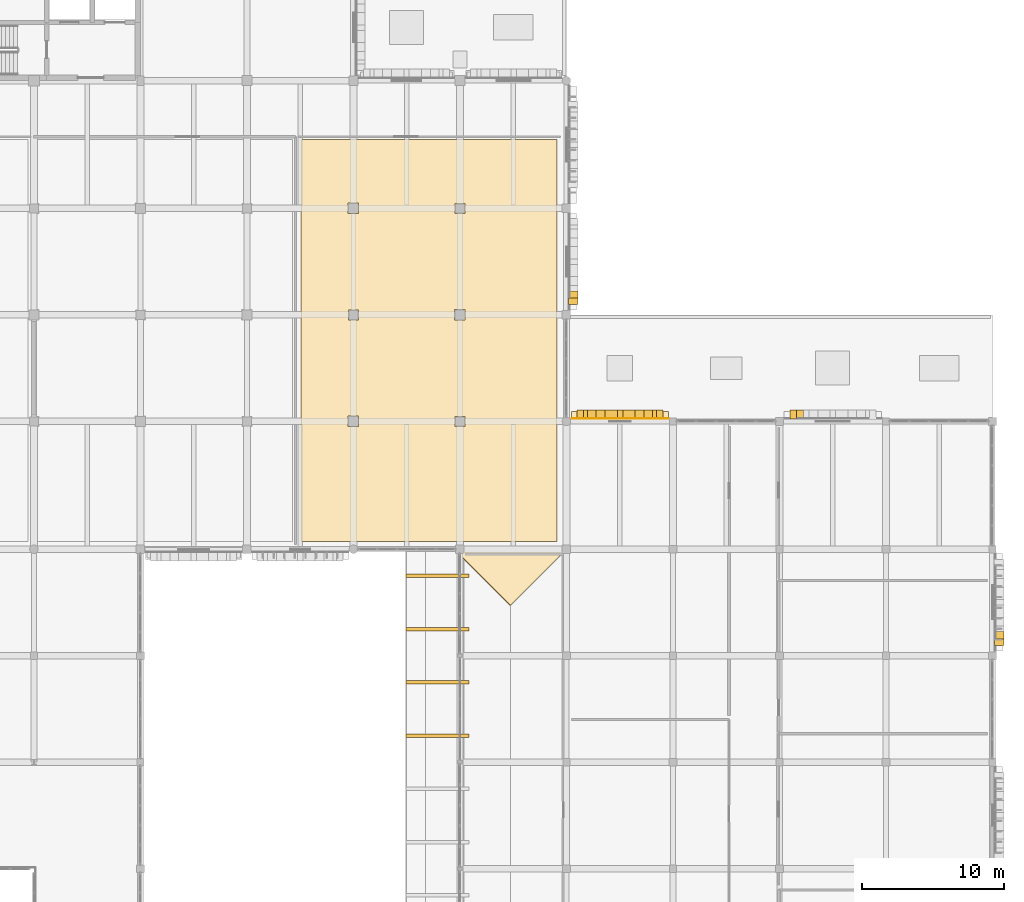
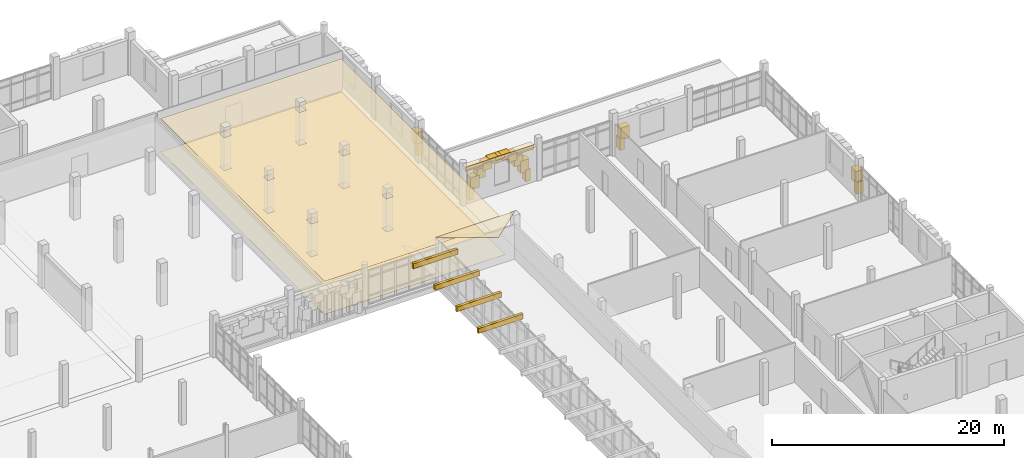
# One storey, part 126 of 128: 26 coverings.
"""IFC4 building model written with IfcOpenShell, lengths in metres."""

from ifc_helpers import new_model, si_unit, direction, frame, origin, origin_2d, place, context, subcontext, project, spatial, polyline, rectangle, outline, extrude, material, layer, layer_set, type_object, element, save


model = new_model("IFC4")

# Units and contexts
model_context = context("Model", 3, precision=1e-05, world=origin(), true_north=direction((0.0, 1.0)))
body_context = subcontext(model_context, "Body", "Model", "MODEL_VIEW")
ifc_project = project(units=[si_unit("LENGTHUNIT", "METRE"), si_unit("AREAUNIT", "SQUARE_METRE"), si_unit("VOLUMEUNIT", "CUBIC_METRE"), si_unit("PLANEANGLEUNIT", "RADIAN"), si_unit("MASSUNIT", "GRAM", prefix="KILO")], contexts=[model_context])

# Site, building, storey
site_placement = place(None, origin())
site = spatial("IfcSite", under=ifc_project, at=site_placement, CompositionType="ELEMENT")
building_placement = place(site_placement, origin())
building = spatial("IfcBuilding", under=site, at=building_placement, Name="Dalvernix Boulevard General Hospital", CompositionType="ELEMENT")
storey_placement = place(building_placement, frame((0.0, 0.0, 4.800048828125)))
storey = spatial("IfcBuildingStorey", under=building, at=storey_placement, Name="L01", CompositionType="ELEMENT", Elevation=4.800048828125)

# Coverings
ifc_material_1 = material(Name="Pressed Catalan clay brick and dressed limestone parabolic archivolt", Category="masonry")
ifc_layer_1 = layer(ifc_material_1, 0.419921875)
ifc_layer_set_1 = layer_set([ifc_layer_1], Name="Pressed Catalan clay brick and dressed limestone parabolic archivolt (COV-ARC-01)")
covering_type_1 = type_object("IfcCoveringType", Name="COV-ARC-01", PredefinedType="CLADDING", material=ifc_layer_set_1)
covering_1_placement = place(storey_placement, frame((142.985107421875, 93.949951171875, 0.0), z_axis=(0.0, 0.0, 1.0), x_axis=(0.0, -1.0, 0.0)))
element("IfcCovering", 1, at=covering_1_placement, inside=storey, type_object=covering_type_1, Name="L01 Catalan parabolic arch impost pier E 19-12-R", PredefinedType="CLADDING", context=body_context, shape_type="SweptSolid", body=[
    extrude(rectangle(XDim=0.4599609375, YDim=0.659912109375, at=origin_2d()), origin(), (0.0, 0.0, 1.0), 1.25),
])
covering_2_placement = place(storey_placement, frame((142.985107421875, 94.260986328125, 1.06005859375), z_axis=(0.0, 0.0, 1.0), x_axis=(0.0, -1.0, 0.0)))
element("IfcCovering", 2, at=covering_2_placement, inside=storey, type_object=covering_type_1, Name="L01 Catalan parabolic archivolt voussoir E 19-12-9", PredefinedType="CLADDING", context=body_context, shape_type="SweptSolid", body=[
    extrude(rectangle(XDim=0.8623046875, YDim=0.659912109375, at=origin_2d()), origin(), (0.0, 0.0, 1.0), 1.272705078125),
])
for number, where, z_axis, x_axis, name in (
    (3, (143.47509765625, 85.985107421875, 0.0), (0.0, 0.0, 1.0), (1.0, 0.0, 0.0), "L01 Catalan parabolic arch impost pier N 19-11-L"),
    (4, (149.074951171875, 85.985107421875, 0.0), (0.0, 0.0, 1.0), (1.0, 0.0, 0.0), "L01 Catalan parabolic arch impost pier N 19-11-R"),
):
    element("IfcCovering", number, at=place(storey_placement, frame(where, z_axis=z_axis, x_axis=x_axis)), inside=storey, type_object=covering_type_1, Name=name, PredefinedType="CLADDING", context=body_context, shape_type="SweptSolid", body=[
        extrude(rectangle(XDim=0.4599609375, YDim=0.659912109375, at=origin_2d()), origin(), (0.0, 0.0, 1.0), 1.25),
    ])
covering_3_placement = place(storey_placement, frame((143.7861328125, 85.985107421875, 1.06005859375), z_axis=(0.0, 0.0, 1.0), x_axis=(1.0, 0.0, 0.0)))
element("IfcCovering", 5, at=covering_3_placement, inside=storey, type_object=covering_type_1, Name="L01 Catalan parabolic archivolt voussoir N 19-11-1", PredefinedType="CLADDING", context=body_context, shape_type="SweptSolid", body=[
    extrude(rectangle(XDim=0.8623046875, YDim=0.659912109375, at=origin_2d()), origin(), (0.0, 0.0, 1.0), 1.272705078125),
])
covering_4_placement = place(storey_placement, frame((144.408203125, 85.985107421875, 1.95263671875), z_axis=(0.0, 0.0, 1.0), x_axis=(1.0, 0.0, 0.0)))
element("IfcCovering", 6, at=covering_4_placement, inside=storey, type_object=covering_type_1, Name="L01 Catalan parabolic archivolt voussoir N 19-11-2", PredefinedType="CLADDING", context=body_context, shape_type="SweptSolid", body=[
    extrude(rectangle(XDim=0.8623046875, YDim=0.659912109375, at=origin_2d()), origin(), (0.0, 0.0, 1.0), 1.049560546875),
])
covering_5_placement = place(storey_placement, frame((145.030517578125, 85.985107421875, 2.62255859375), z_axis=(0.0, 0.0, 1.0), x_axis=(1.0, 0.0, 0.0)))
element("IfcCovering", 7, at=covering_5_placement, inside=storey, type_object=covering_type_1, Name="L01 Catalan parabolic archivolt voussoir N 19-11-3", PredefinedType="CLADDING", context=body_context, shape_type="SweptSolid", body=[
    extrude(rectangle(XDim=0.8623046875, YDim=0.659912109375, at=origin_2d()), origin(), (0.0, 0.0, 1.0), 0.826416015625),
])
covering_6_placement = place(storey_placement, frame((145.65283203125, 85.985107421875, 3.06884765625), z_axis=(0.0, 0.0, 1.0), x_axis=(1.0, 0.0, 0.0)))
element("IfcCovering", 8, at=covering_6_placement, inside=storey, type_object=covering_type_1, Name="L01 Catalan parabolic archivolt voussoir N 19-11-4", PredefinedType="CLADDING", context=body_context, shape_type="SweptSolid", body=[
    extrude(rectangle(XDim=0.8623046875, YDim=0.659912109375, at=origin_2d()), origin(), (0.0, 0.0, 1.0), 0.603271484375),
])
covering_7_placement = place(storey_placement, frame((146.27490234375, 85.985107421875, 3.2919921875), z_axis=(0.0, 0.0, 1.0), x_axis=(1.0, 0.0, 0.0)))
element("IfcCovering", 9, at=covering_7_placement, inside=storey, type_object=covering_type_1, Name="L01 Catalan parabolic archivolt voussoir N 19-11-5", PredefinedType="CLADDING", context=body_context, shape_type="SweptSolid", body=[
    extrude(rectangle(XDim=0.8623046875, YDim=0.659912109375, at=origin_2d()), origin(), (0.0, 0.0, 1.0), 0.3798828125),
])
covering_8_placement = place(storey_placement, frame((146.897216796875, 85.985107421875, 3.06884765625), z_axis=(0.0, 0.0, 1.0), x_axis=(1.0, 0.0, 0.0)))
element("IfcCovering", 10, at=covering_8_placement, inside=storey, type_object=covering_type_1, Name="L01 Catalan parabolic archivolt voussoir N 19-11-6", PredefinedType="CLADDING", context=body_context, shape_type="SweptSolid", body=[
    extrude(rectangle(XDim=0.8623046875, YDim=0.659912109375, at=origin_2d()), origin(), (0.0, 0.0, 1.0), 0.603271484375),
])
covering_9_placement = place(storey_placement, frame((147.519287109375, 85.985107421875, 2.62255859375), z_axis=(0.0, 0.0, 1.0), x_axis=(1.0, 0.0, 0.0)))
element("IfcCovering", 11, at=covering_9_placement, inside=storey, type_object=covering_type_1, Name="L01 Catalan parabolic archivolt voussoir N 19-11-7", PredefinedType="CLADDING", context=body_context, shape_type="SweptSolid", body=[
    extrude(rectangle(XDim=0.8623046875, YDim=0.659912109375, at=origin_2d()), origin(), (0.0, 0.0, 1.0), 0.826416015625),
])
covering_10_placement = place(storey_placement, frame((148.1416015625, 85.985107421875, 1.95263671875), z_axis=(0.0, 0.0, 1.0), x_axis=(1.0, 0.0, 0.0)))
element("IfcCovering", 12, at=covering_10_placement, inside=storey, type_object=covering_type_1, Name="L01 Catalan parabolic archivolt voussoir N 19-11-8", PredefinedType="CLADDING", context=body_context, shape_type="SweptSolid", body=[
    extrude(rectangle(XDim=0.8623046875, YDim=0.659912109375, at=origin_2d()), origin(), (0.0, 0.0, 1.0), 1.049560546875),
])
covering_11_placement = place(storey_placement, frame((148.763916015625, 85.985107421875, 1.06005859375), z_axis=(0.0, 0.0, 1.0), x_axis=(1.0, 0.0, 0.0)))
element("IfcCovering", 13, at=covering_11_placement, inside=storey, type_object=covering_type_1, Name="L01 Catalan parabolic archivolt voussoir N 19-11-9", PredefinedType="CLADDING", context=body_context, shape_type="SweptSolid", body=[
    extrude(rectangle(XDim=0.8623046875, YDim=0.659912109375, at=origin_2d()), origin(), (0.0, 0.0, 1.0), 1.272705078125),
])
covering_12_placement = place(storey_placement, frame((158.46240234375, 85.985107421875, 0.0), z_axis=(0.0, 0.0, 1.0), x_axis=(1.0, 0.0, 0.0)))
element("IfcCovering", 14, at=covering_12_placement, inside=storey, type_object=covering_type_1, Name="L01 Catalan parabolic arch impost pier N 21-11-L", PredefinedType="CLADDING", context=body_context, shape_type="SweptSolid", body=[
    extrude(rectangle(XDim=0.4599609375, YDim=0.659912109375, at=origin_2d()), origin(), (0.0, 0.0, 1.0), 1.25),
])
covering_13_placement = place(storey_placement, frame((158.773681640625, 85.985107421875, 1.06005859375), z_axis=(0.0, 0.0, 1.0), x_axis=(1.0, 0.0, 0.0)))
element("IfcCovering", 15, at=covering_13_placement, inside=storey, type_object=covering_type_1, Name="L01 Catalan parabolic archivolt voussoir N 21-11-1", PredefinedType="CLADDING", context=body_context, shape_type="SweptSolid", body=[
    extrude(rectangle(XDim=0.8623046875, YDim=0.659912109375, at=origin_2d()), origin(), (0.0, 0.0, 1.0), 1.272705078125),
])
covering_14_placement = place(storey_placement, frame((172.985107421875, 69.96240234375, 0.0), z_axis=(0.0, 0.0, 1.0), x_axis=(0.0, -1.0, 0.0)))
element("IfcCovering", 16, at=covering_14_placement, inside=storey, type_object=covering_type_1, Name="L01 Catalan parabolic arch impost pier E 23-9-R", PredefinedType="CLADDING", context=body_context, shape_type="SweptSolid", body=[
    extrude(rectangle(XDim=0.4599609375, YDim=0.659912109375, at=origin_2d()), origin(), (0.0, 0.0, 1.0), 1.25),
])
covering_15_placement = place(storey_placement, frame((172.985107421875, 70.273681640625, 1.06005859375), z_axis=(0.0, 0.0, 1.0), x_axis=(0.0, -1.0, 0.0)))
element("IfcCovering", 17, at=covering_15_placement, inside=storey, type_object=covering_type_1, Name="L01 Catalan parabolic archivolt voussoir E 23-9-9", PredefinedType="CLADDING", context=body_context, shape_type="SweptSolid", body=[
    extrude(rectangle(XDim=0.8623046875, YDim=0.659912109375, at=origin_2d()), origin(), (0.0, 0.0, 1.0), 1.272705078125),
])
ifc_material_2 = material(Name="Antimicrobial acoustic mineral-fibre suspended ceiling")
ifc_layer_2 = layer(ifc_material_2, 0.02490234375)
ifc_layer_set_2 = layer_set([ifc_layer_2], Name="Antimicrobial acoustic mineral-fibre suspended ceiling (COV-CEIL-01)")
covering_type_2 = type_object("IfcCoveringType", Name="COV-CEIL-01", PredefinedType="CEILING", material=ifc_layer_set_2)
covering_16_placement = place(storey_placement, frame((0.0, 0.0, 3.474853515625)))
element("IfcCovering", 18, at=covering_16_placement, inside=storey, type_object=covering_type_2, Name="L01 Clinical Pathology and Microbiology Laboratory 05 hygienic suspended ceiling", PredefinedType="CEILING", context=body_context, shape_type="SweptSolid", body=[
    extrude(outline(polyline([(123.816650390625, 105.35009765625), (141.85009765625, 105.35009765625), (141.85009765625, 77.050048828125), (123.816650390625, 77.050048828125), (123.816650390625, 105.35009765625)]), holes=[polyline([(127.1298828125, 85.8701171875), (127.1298828125, 85.1298828125), (127.8701171875, 85.1298828125), (127.8701171875, 85.8701171875), (127.1298828125, 85.8701171875)]), polyline([(127.844970703125, 93.344970703125), (127.155029296875, 93.344970703125), (127.155029296875, 92.655029296875), (127.844970703125, 92.655029296875), (127.844970703125, 93.344970703125)]), polyline([(127.8701171875, 100.1298828125), (127.8701171875, 100.8701171875), (127.1298828125, 100.8701171875), (127.1298828125, 100.1298828125), (127.8701171875, 100.1298828125)]), polyline([(134.655029296875, 85.155029296875), (135.344970703125, 85.155029296875), (135.344970703125, 85.844970703125), (134.655029296875, 85.844970703125), (134.655029296875, 85.155029296875)]), polyline([(134.6298828125, 93.3701171875), (134.6298828125, 92.6298828125), (135.3701171875, 92.6298828125), (135.3701171875, 93.3701171875), (134.6298828125, 93.3701171875)]), polyline([(135.344970703125, 100.844970703125), (134.655029296875, 100.844970703125), (134.655029296875, 100.155029296875), (135.344970703125, 100.155029296875), (135.344970703125, 100.844970703125)])]), origin(), (0.0, 0.0, 1.0), 0.025146484375),
])
ifc_material_3 = material(Name="Polychrome Catalan glazed ceramic spandrel tile panel")
ifc_layer_3 = layer(ifc_material_3, 0.044921875)
ifc_layer_set_3 = layer_set([ifc_layer_3], Name="Polychrome Catalan glazed ceramic spandrel tile panel (COV-CLD-01)")
covering_type_3 = type_object("IfcCoveringType", Name="COV-CLD-01", PredefinedType="CLADDING", material=ifc_layer_set_3)
covering_17_placement = place(storey_placement, frame((146.27490234375, 85.695068359375, 3.15478515625), z_axis=(0.0, 0.0, 1.0), x_axis=(1.0, 0.0, 0.0)))
element("IfcCovering", 19, at=covering_17_placement, inside=storey, type_object=covering_type_3, Name="L01 polychrome ceramic spandrel N 19-11", PredefinedType="CLADDING", context=body_context, shape_type="SweptSolid", body=[
    extrude(rectangle(XDim=6.830078125, YDim=0.044921875, at=origin_2d()), origin(), (0.0, 0.0, 1.0), 0.449951171875),
])
ifc_material_4 = material(Name="Dressed ochre limestone classical plinth, stringcourse and corbelled cornice", Category="masonry")
ifc_layer_4 = layer(ifc_material_4, 0.449951171875)
ifc_layer_set_4 = layer_set([ifc_layer_4], Name="Dressed ochre limestone classical plinth, stringcourse and corbelled cornice (COV-CRN-01)")
covering_type_4 = type_object("IfcCoveringType", Name="COV-CRN-01", PredefinedType="CLADDING", material=ifc_layer_set_4)
covering_18_placement = place(storey_placement, frame((146.27490234375, 85.93505859375, 3.22998046875), z_axis=(0.0, 0.0, 1.0), x_axis=(1.0, 0.0, 0.0)))
element("IfcCovering", 20, at=covering_18_placement, inside=storey, type_object=covering_type_4, Name="L01 classical corbelled cornice frieze N 19-11", PredefinedType="CLADDING", context=body_context, shape_type="SweptSolid", body=[
    extrude(rectangle(XDim=6.830078125, YDim=0.56005859375, at=origin_2d()), origin(), (0.0, 0.0, 1.0), 0.39990234375),
])
ifc_material_5 = material(Name="Seamless welded medical vinyl and polished terrazzo flooring")
ifc_layer_5 = layer(ifc_material_5, 0.014892578125)
ifc_layer_set_5 = layer_set([ifc_layer_5], Name="Seamless welded medical vinyl and polished terrazzo flooring (COV-FLR-01)")
covering_type_5 = type_object("IfcCoveringType", Name="COV-FLR-01", PredefinedType="FLOORING", material=ifc_layer_set_5)
covering_19_placement = place(storey_placement, origin())
element("IfcCovering", 21, at=covering_19_placement, inside=storey, type_object=covering_type_5, Name="L01 Clinical Pathology and Microbiology Laboratory 05 seamless clinical flooring", PredefinedType="FLOORING", context=body_context, shape_type="SweptSolid", body=[
    extrude(outline(polyline([(123.816650390625, 105.35009765625), (141.85009765625, 105.35009765625), (141.85009765625, 77.050048828125), (123.816650390625, 77.050048828125), (123.816650390625, 105.35009765625)]), holes=[polyline([(127.1298828125, 85.8701171875), (127.1298828125, 85.1298828125), (127.8701171875, 85.1298828125), (127.8701171875, 85.8701171875), (127.1298828125, 85.8701171875)]), polyline([(127.844970703125, 93.344970703125), (127.155029296875, 93.344970703125), (127.155029296875, 92.655029296875), (127.844970703125, 92.655029296875), (127.844970703125, 93.344970703125)]), polyline([(127.8701171875, 100.1298828125), (127.8701171875, 100.8701171875), (127.1298828125, 100.8701171875), (127.1298828125, 100.1298828125), (127.8701171875, 100.1298828125)]), polyline([(134.655029296875, 85.155029296875), (135.344970703125, 85.155029296875), (135.344970703125, 85.844970703125), (134.655029296875, 85.844970703125), (134.655029296875, 85.155029296875)]), polyline([(134.6298828125, 93.3701171875), (134.6298828125, 92.6298828125), (135.3701171875, 92.6298828125), (135.3701171875, 93.3701171875), (134.6298828125, 93.3701171875)]), polyline([(135.344970703125, 100.844970703125), (134.655029296875, 100.844970703125), (134.655029296875, 100.155029296875), (135.344970703125, 100.155029296875), (135.344970703125, 100.844970703125)])]), origin(), (0.0, 0.0, 1.0), 0.014892578125),
])
ifc_material_6 = material(Name="Preservative-treated glulam GL28h eave outlooker corbel bracket", Category="wood")
ifc_layer_6 = layer(ifc_material_6, 0.239990234375)
ifc_layer_set_6 = layer_set([ifc_layer_6], Name="Preservative-treated glulam GL28h eave outlooker corbel bracket (COV-OUTLOOK-01)")
covering_type_6 = type_object("IfcCoveringType", Name="COV-OUTLOOK-01", PredefinedType="CLADDING", material=ifc_layer_set_6)
for number, where, z_axis, x_axis, name in (
    (22, (133.425048828125, 63.375, 3.78466796875), (0.0, 0.0, 1.0), (1.0, 0.0, 0.0), "V6E glulam eave outlooker corbel W-9"),
    (23, (133.425048828125, 67.125, 3.78466796875), (0.0, 0.0, 1.0), (1.0, 0.0, 0.0), "V6E glulam eave outlooker corbel W-10"),
    (24, (133.425048828125, 70.875, 3.78466796875), (0.0, 0.0, 1.0), (1.0, 0.0, 0.0), "V6E glulam eave outlooker corbel W-11"),
    (25, (133.425048828125, 74.625, 3.78466796875), (0.0, 0.0, 1.0), (1.0, 0.0, 0.0), "V6E glulam eave outlooker corbel W-12"),
):
    element("IfcCovering", number, at=place(storey_placement, frame(where, z_axis=z_axis, x_axis=x_axis)), inside=storey, type_object=covering_type_6, Name=name, PredefinedType="CLADDING", context=body_context, shape_type="SweptSolid", body=[
        extrude(rectangle(XDim=4.449951171875, YDim=0.260009765625, at=origin_2d()), origin(), (0.0, 0.0, 1.0), 0.52001953125),
    ])
ifc_material_7 = material(Name="Polychrome Catalan glazed terracotta roof tiles", Category="masonry")
ifc_layer_7 = layer(ifc_material_7, 0.050048828125)
ifc_layer_set_7 = layer_set([ifc_layer_7], Name="Polychrome Catalan glazed terracotta roof tiles (COV-ROOF-01)")
covering_type_7 = type_object("IfcCoveringType", Name="COV-ROOF-01", PredefinedType="ROOFING", material=ifc_layer_set_7)
covering_20_placement = place(storey_placement, frame((142.5, 76.5, 4.71484375), z_axis=(0.0, 0.238536653022, 0.971133495028), x_axis=(-1.0, 0.0, 0.0)))
element("IfcCovering", 26, at=covering_20_placement, inside=storey, type_object=covering_type_7, Name="V6E glazed terracotta tile slope N", PredefinedType="ROOFING", context=body_context, shape_type="SweptSolid", body=[
    extrude(outline(polyline([(0.0, 0.0), (7.89990234375, 0.0), (3.949951171875, 4.06736168827282), (0.0, 0.0)])), origin(), (0.0, 0.0, -1.0), 0.050048828125),
])

save(model, "model.ifc")
